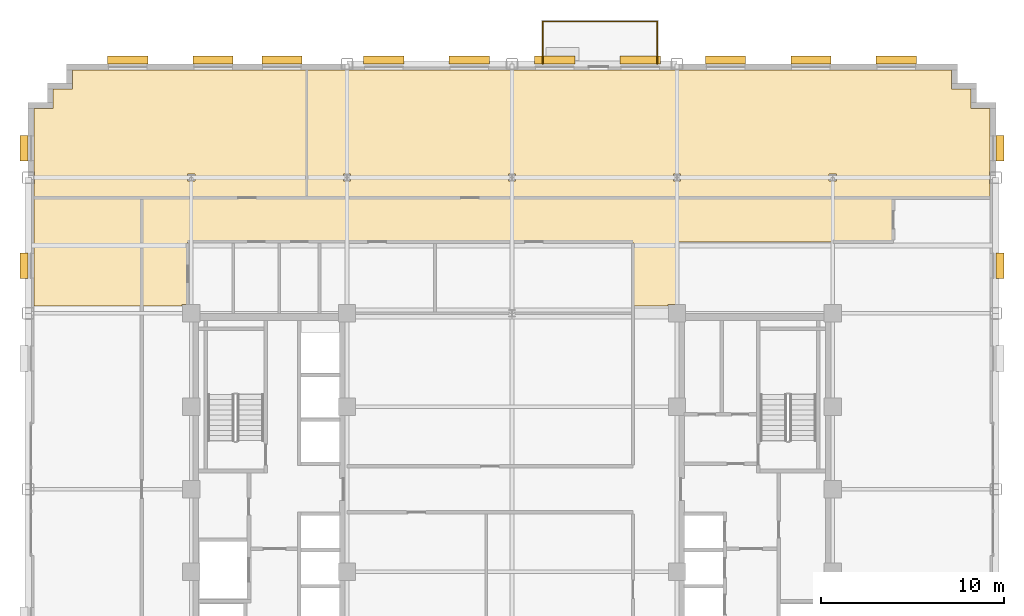
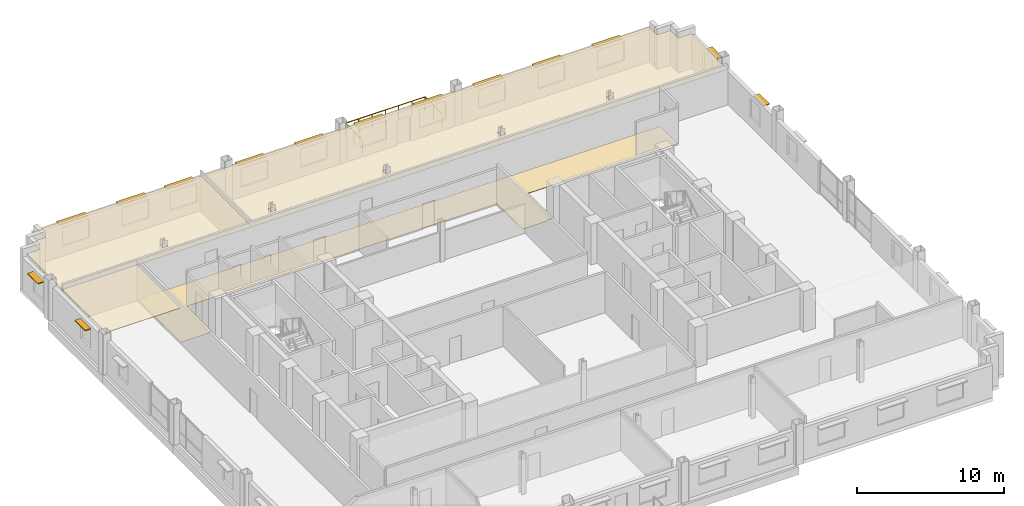
# One storey, part 15 of 15: 14 shading devices, 4 coverings, 1 railing.
"""IFC4 building model written with IfcOpenShell, lengths in metres."""

from ifc_helpers import new_model, si_unit, direction, frame, origin, origin_2d, place, context, subcontext, project, spatial, polyline, rectangle, circle, outline, extrude, source, transform, mapped, material, layer, layer_set, type_object, type_shapes, element, save


model = new_model("IFC4")

# Units and contexts
model_context = context("Model", 3, precision=1e-05, world=origin(), true_north=direction((0.0, 1.0)))
body_context = subcontext(model_context, "Body", "Model", "MODEL_VIEW")
ifc_project = project(units=[si_unit("LENGTHUNIT", "METRE"), si_unit("AREAUNIT", "SQUARE_METRE"), si_unit("VOLUMEUNIT", "CUBIC_METRE"), si_unit("PLANEANGLEUNIT", "RADIAN"), si_unit("MASSUNIT", "GRAM", prefix="KILO")], contexts=[model_context])

# Site, building, storey
site_placement = place(None, origin())
site = spatial("IfcSite", under=ifc_project, at=site_placement, CompositionType="ELEMENT")
building_placement = place(site_placement, origin())
building = spatial("IfcBuilding", under=site, at=building_placement, Name="Nuvemarco Arch Tower", CompositionType="ELEMENT")
storey_placement = place(building_placement, frame((0.0, 0.0, 123.85009765625)))
storey = spatial("IfcBuildingStorey", under=building, at=storey_placement, Name="L32", CompositionType="ELEMENT", Elevation=123.85009765625)

# Coverings
ifc_material_1 = material(Name="Mineral acoustic ceiling tile")
ifc_layer_1 = layer(ifc_material_1, 0.0400390625, Name="COV-ACOUSTIC-CLG")
ifc_layer_set_1 = layer_set([ifc_layer_1], Name="Mineral acoustic ceiling tile")
covering_type_1 = type_object("IfcCoveringType", Name="COV-ACOUSTIC-CLG", PredefinedType="CEILING", material=ifc_layer_set_1)
covering_1_placement = place(storey_placement, frame((0.0, 0.0, 2.849853515625)))
element("IfcCovering", 1, at=covering_1_placement, inside=storey, type_object=covering_type_1, Name="L32 suspended acoustic ceiling 1", PredefinedType="CEILING", context=body_context, shape_type="SweptSolid", body=[
    extrude(outline(polyline([(26.080078125, 20.780029296875), (26.080078125, 17.340087890625), (26.06005859375, 17.340087890625), (26.06005859375, 16.659912109375), (26.080078125, 16.659912109375), (26.080078125, 15.89990234375), (20.800048828125, 15.89990234375), (9.0, 15.89990234375), (6.60009765625, 15.89990234375), (-11.199951171875, 15.89990234375), (-11.199951171875, 22.8798828125), (-9.340087890625, 22.8798828125), (-9.340087890625, 22.860107421875), (-8.659912109375, 22.860107421875), (-8.659912109375, 22.8798828125), (-0.340087890625, 22.8798828125), (-0.340087890625, 22.860107421875), (0.340087890625, 22.860107421875), (0.340087890625, 22.8798828125), (8.659912109375, 22.8798828125), (8.659912109375, 22.860107421875), (9.340087890625, 22.860107421875), (9.340087890625, 22.8798828125), (23.97998046875, 22.8798828125), (23.97998046875, 21.830078125), (25.030029296875, 21.830078125), (25.030029296875, 20.780029296875), (26.080078125, 20.780029296875)]), holes=[polyline([(-8.804931640625, 16.804931640625), (-8.804931640625, 17.195068359375), (-9.195068359375, 17.195068359375), (-9.195068359375, 16.804931640625), (-8.804931640625, 16.804931640625)]), polyline([(0.195068359375, 16.804931640625), (0.195068359375, 17.195068359375), (-0.195068359375, 17.195068359375), (-0.195068359375, 16.804931640625), (0.195068359375, 16.804931640625)]), polyline([(9.195068359375, 17.195068359375), (8.804931640625, 17.195068359375), (8.804931640625, 16.804931640625), (9.195068359375, 16.804931640625), (9.195068359375, 17.195068359375)]), polyline([(17.695068359375, 16.804931640625), (17.695068359375, 17.195068359375), (17.304931640625, 17.195068359375), (17.304931640625, 16.804931640625), (17.695068359375, 16.804931640625)])]), origin(), (0.0, 0.0, 1.0), 0.0400390625),
])
covering_2_placement = place(storey_placement, frame((0.0, 0.0, 2.849853515625)))
element("IfcCovering", 2, at=covering_2_placement, inside=storey, type_object=covering_type_1, Name="L32 suspended acoustic ceiling 3", PredefinedType="CEILING", context=body_context, shape_type="SweptSolid", body=[
    extrude(outline(polyline([(-26.080078125, 15.89990234375), (-20.199951171875, 15.89990234375), (-20.199951171875, 13.5), (-20.199951171875, 10.0), (-26.080078125, 10.0), (-26.080078125, 15.89990234375)])), origin(), (0.0, 0.0, 1.0), 0.0400390625),
])
covering_3_placement = place(storey_placement, frame((0.0, 0.0, 2.849853515625)))
element("IfcCovering", 3, at=covering_3_placement, inside=storey, type_object=covering_type_1, Name="L32 suspended acoustic ceiling 5", PredefinedType="CEILING", context=body_context, shape_type="SweptSolid", body=[
    extrude(outline(polyline([(-26.06005859375, 16.659912109375), (-26.06005859375, 17.340087890625), (-26.080078125, 17.340087890625), (-26.080078125, 20.780029296875), (-25.030029296875, 20.780029296875), (-25.030029296875, 21.830078125), (-23.97998046875, 21.830078125), (-23.97998046875, 22.8798828125), (-11.199951171875, 22.8798828125), (-11.199951171875, 15.89990234375), (-17.699951171875, 15.89990234375), (-20.199951171875, 15.89990234375), (-26.080078125, 15.89990234375), (-26.080078125, 16.659912109375), (-26.06005859375, 16.659912109375)]), holes=[polyline([(-17.304931640625, 16.804931640625), (-17.304931640625, 17.195068359375), (-17.695068359375, 17.195068359375), (-17.695068359375, 16.804931640625), (-17.304931640625, 16.804931640625)])]), origin(), (0.0, 0.0, 1.0), 0.0400390625),
])
ifc_material_2 = material(Name="Polished granite terrazzostone flooring", Category="masonry")
ifc_layer_2 = layer(ifc_material_2, 0.02001953125, Name="COV-LOBBY-FLR")
ifc_layer_set_2 = layer_set([ifc_layer_2], Name="Polished granite terrazzostone flooring")
covering_type_2 = type_object("IfcCoveringType", Name="COV-LOBBY-FLR", PredefinedType="FLOORING", material=ifc_layer_set_2)
covering_4_placement = place(storey_placement, origin())
element("IfcCovering", 4, at=covering_4_placement, inside=storey, type_object=covering_type_2, Name="L32 polished terrazzo lobby flooring", PredefinedType="FLOORING", context=body_context, shape_type="SweptSolid", body=[
    extrude(outline(polyline([(-20.199951171875, 13.5), (-20.199951171875, 15.89990234375), (-17.699951171875, 15.89990234375), (6.60009765625, 15.89990234375), (9.0, 15.89990234375), (20.800048828125, 15.89990234375), (20.800048828125, 13.5), (9.0, 13.5), (9.0, 10.090087890625), (8.510009765625, 10.090087890625), (8.510009765625, 10.0), (6.60009765625, 10.0), (6.60009765625, 13.5), (-17.699951171875, 13.5), (-17.699951171875, 10.090087890625), (-17.989990234375, 10.090087890625), (-17.989990234375, 10.0), (-20.199951171875, 10.0), (-20.199951171875, 13.5)])), origin(), (0.0, 0.0, 1.0), 0.02001953125),
])

# Railing
ifc_material_3 = material(Name="Dark anodised balustrade steel S355", Category="steel")
railing_type = type_object("IfcRailingType", Name="RL-TERR-GUARD", PredefinedType="BALUSTRADE", material=ifc_material_3)
railing_placement = place(storey_placement, frame((1.679931640625, 23.199951171875, 0.0)))
element("IfcRailing", 5, at=railing_placement, inside=storey, type_object=railing_type, Name="L32 spiral terrace perimeter balustrade guard", PredefinedType="BALUSTRADE", context=body_context, shape_type="SweptSolid", body=[
    extrude(circle(Radius=0.02392578125, at=origin_2d()), frame((0.0, 0.0, 1.1259765625), z_axis=(0.0, 1.0, 0.0), x_axis=(-1.0, 0.0, 0.0)), (0.0, 0.0, 1.0), 2.320068359375),
    extrude(circle(Radius=0.02392578125, at=origin_2d()), frame((0.0, 2.320068359375, 1.1259765625), z_axis=(1.0, 0.0, 0.0), x_axis=(0.0, 1.0, 0.0)), (0.0, 0.0, 1.0), 6.239990234375),
    extrude(circle(Radius=0.02392578125, at=origin_2d()), frame((6.239990234375, 2.320068359375, 1.1259765625), z_axis=(0.0, -1.0, 0.0), x_axis=(1.0, 0.0, 0.0)), (0.0, 0.0, 1.0), 2.320068359375),
    extrude(circle(Radius=0.02099609375, at=origin_2d()), origin(), (0.0, 0.0, 1.0), 1.101806640625),
    extrude(circle(Radius=0.02099609375, at=origin_2d()), frame((0.0, 1.16015625, 0.0)), (0.0, 0.0, 1.0), 1.101806640625),
    extrude(circle(Radius=0.02099609375, at=origin_2d()), frame((0.0, 2.320068359375, 0.0)), (0.0, 0.0, 1.0), 1.101806640625),
    extrude(circle(Radius=0.02099609375, at=origin_2d()), frame((1.0400390625, 2.320068359375, 0.0)), (0.0, 0.0, 1.0), 1.101806640625),
    extrude(circle(Radius=0.02099609375, at=origin_2d()), frame((2.080078125, 2.320068359375, 0.0)), (0.0, 0.0, 1.0), 1.101806640625),
    extrude(circle(Radius=0.02099609375, at=origin_2d()), frame((3.1201171875, 2.320068359375, 0.0)), (0.0, 0.0, 1.0), 1.101806640625),
    extrude(circle(Radius=0.02099609375, at=origin_2d()), frame((4.159912109375, 2.320068359375, 0.0)), (0.0, 0.0, 1.0), 1.101806640625),
    extrude(circle(Radius=0.02099609375, at=origin_2d()), frame((5.199951171875, 2.320068359375, 0.0)), (0.0, 0.0, 1.0), 1.101806640625),
    extrude(circle(Radius=0.02099609375, at=origin_2d()), frame((6.239990234375, 2.320068359375, 0.0)), (0.0, 0.0, 1.0), 1.101806640625),
    extrude(circle(Radius=0.02099609375, at=origin_2d()), frame((6.239990234375, 1.16015625, 0.0)), (0.0, 0.0, 1.0), 1.101806640625),
    extrude(circle(Radius=0.02099609375, at=origin_2d()), frame((6.239990234375, 0.0, 0.0)), (0.0, 0.0, 1.0), 1.101806640625),
])

# Shading devices
ifc_material_4 = material(Name="Anodised aluminium 6063-T6", Category="aluminium")
shading_device_type_1 = type_object("IfcShadingDeviceType", Name="SHD-BRISE-SOLEIL", PredefinedType="USERDEFINED", material=ifc_material_4)
shared_shape_1 = source(origin(), body_context, "Body", "SweptSolid", [
    extrude(rectangle(XDim=2.199951171875, YDim=0.449951171875, at=origin_2d()), origin(), (0.0, 0.0, 1.0), 0.080078125),
])
type_shapes(shading_device_type_1, [shared_shape_1])
for number, where, z_axis, x_axis, name in (
    (6, (-20.969970703125, 23.4150390625, 2.36474609375), (0.0, 0.0, 1.0), (1.0, 0.0, 0.0), "L32 horizontal brise-soleil sunshade"),
    (7, (-16.31005859375, 23.4150390625, 2.36474609375), (0.0, 0.0, 1.0), (1.0, 0.0, 0.0), "L32 horizontal brise-soleil sunshade"),
    (8, (-12.550048828125, 23.4150390625, 2.36474609375), (0.0, 0.0, 1.0), (1.0, 0.0, 0.0), "L32 horizontal brise-soleil sunshade"),
    (9, (-6.989990234375, 23.4150390625, 2.36474609375), (0.0, 0.0, 1.0), (1.0, 0.0, 0.0), "L32 horizontal brise-soleil sunshade"),
    (10, (-2.330078125, 23.4150390625, 2.36474609375), (0.0, 0.0, 1.0), (1.0, 0.0, 0.0), "L32 horizontal brise-soleil sunshade"),
    (11, (2.330078125, 23.4150390625, 2.36474609375), (0.0, 0.0, 1.0), (1.0, 0.0, 0.0), "L32 horizontal brise-soleil sunshade"),
    (12, (6.989990234375, 23.4150390625, 2.36474609375), (0.0, 0.0, 1.0), (1.0, 0.0, 0.0), "L32 horizontal brise-soleil sunshade"),
    (13, (11.64990234375, 23.4150390625, 2.36474609375), (0.0, 0.0, 1.0), (1.0, 0.0, 0.0), "L32 horizontal brise-soleil sunshade"),
    (14, (16.31005859375, 23.4150390625, 2.36474609375), (0.0, 0.0, 1.0), (1.0, 0.0, 0.0), "L32 horizontal brise-soleil sunshade"),
    (15, (20.969970703125, 23.4150390625, 2.36474609375), (0.0, 0.0, 1.0), (1.0, 0.0, 0.0), "L32 horizontal brise-soleil sunshade"),
):
    element("IfcShadingDevice", number, at=place(storey_placement, frame(where, z_axis=z_axis, x_axis=x_axis)), inside=storey, type_object=shading_device_type_1, Name=name, ObjectType="SUNSHADE", PredefinedType="USERDEFINED", context=body_context, shape_type="MappedRepresentation", body=[
        mapped(shared_shape_1, transform((0.0, 0.0, 0.0), scale=1.0)),
    ])
shading_device_type_2 = type_object("IfcShadingDeviceType", Name="SHD-BRISE-NARROW", PredefinedType="USERDEFINED", material=ifc_material_4)
shared_shape_2 = source(origin(), body_context, "Body", "SweptSolid", [
    extrude(rectangle(XDim=1.39990234375, YDim=0.449951171875, at=origin_2d()), origin(), (0.0, 0.0, 1.0), 0.080078125),
])
type_shapes(shading_device_type_2, [shared_shape_2])
for number, where, z_axis, x_axis, name in (
    (16, (26.614990234375, 12.19189453125, 2.36474609375), (0.0, 0.0, 1.0), (0.0, 1.0, 0.0), "L32 horizontal brise-soleil sunshade"),
    (17, (26.614990234375, 18.603271484375, 2.36474609375), (0.0, 0.0, 1.0), (0.0, 1.0, 0.0), "L32 horizontal brise-soleil sunshade"),
    (18, (-26.614990234375, 12.19189453125, 2.36474609375), (0.0, 0.0, 1.0), (0.0, 1.0, 0.0), "L32 horizontal brise-soleil sunshade"),
    (19, (-26.614990234375, 18.603271484375, 2.36474609375), (0.0, 0.0, 1.0), (0.0, 1.0, 0.0), "L32 horizontal brise-soleil sunshade"),
):
    element("IfcShadingDevice", number, at=place(storey_placement, frame(where, z_axis=z_axis, x_axis=x_axis)), inside=storey, type_object=shading_device_type_2, Name=name, ObjectType="SUNSHADE", PredefinedType="USERDEFINED", context=body_context, shape_type="MappedRepresentation", body=[
        mapped(shared_shape_2, transform((0.0, 0.0, 0.0), scale=1.0)),
    ])

save(model, "model.ifc")
